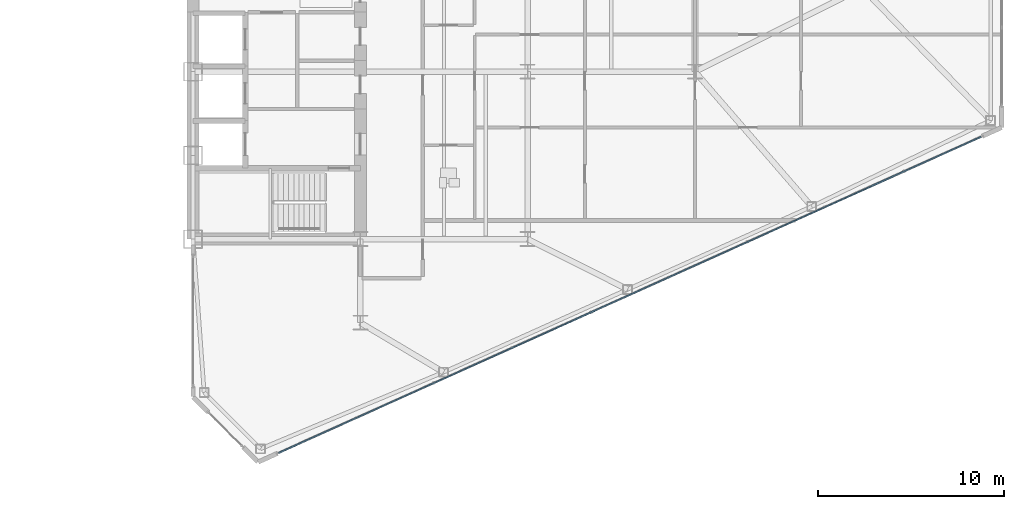
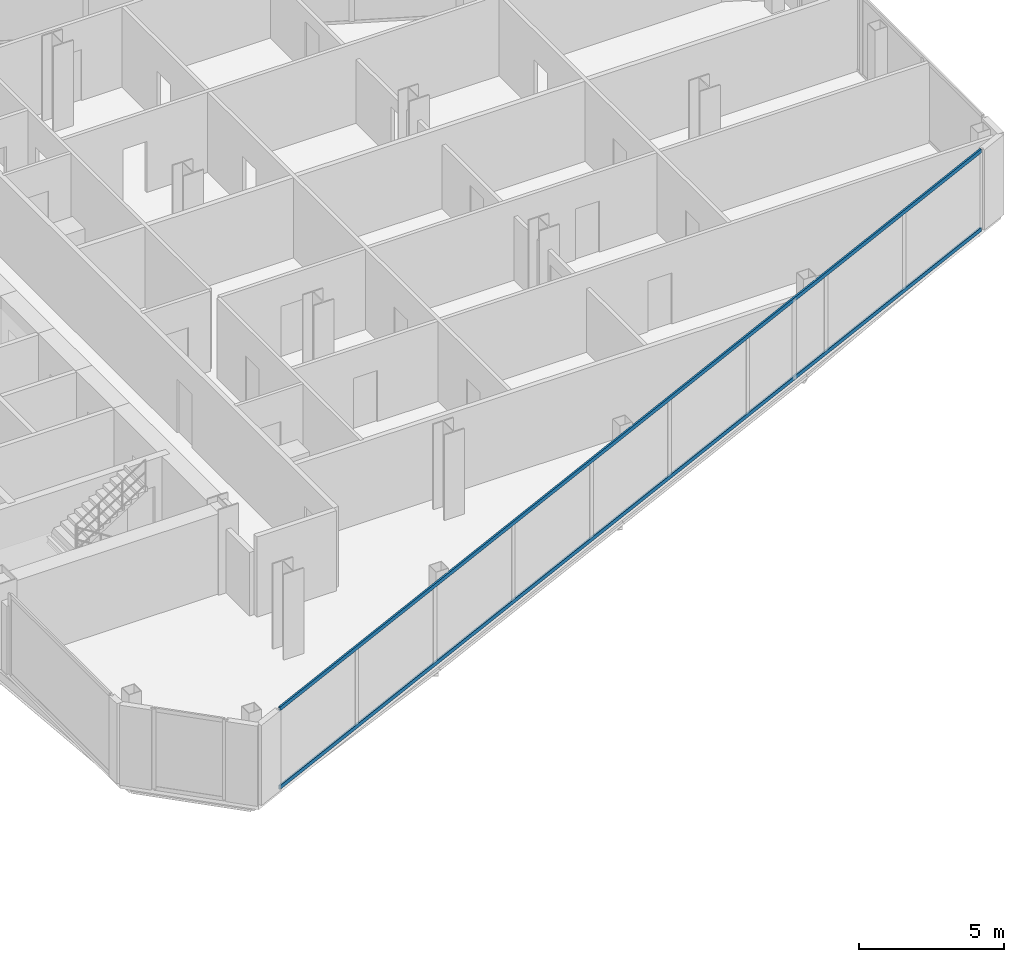
# One storey, part 11 of 27: 2 members, 1 element without a shape of its own.
"""IFC4 building model written with IfcOpenShell, lengths in metres."""

from ifc_helpers import new_model, si_unit, direction, frame, origin, origin_2d, place, context, subcontext, project, spatial, rectangle, extrude, source, transform, mapped, material, layer, layer_set, material_profile, profile_set, type_object, type_shapes, element, aggregate, save


model = new_model("IFC4")

# Units and contexts
model_context = context("Model", 3, precision=1e-05, world=origin(), true_north=direction((0.0, 1.0)))
body_context = subcontext(model_context, "Body", "Model", "MODEL_VIEW")
ifc_project = project(units=[si_unit("LENGTHUNIT", "METRE"), si_unit("AREAUNIT", "SQUARE_METRE"), si_unit("VOLUMEUNIT", "CUBIC_METRE"), si_unit("PLANEANGLEUNIT", "RADIAN"), si_unit("MASSUNIT", "GRAM", prefix="KILO")], contexts=[model_context])

# Site, building, storey
site_placement = place(None, origin())
site = spatial("IfcSite", under=ifc_project, at=site_placement, CompositionType="ELEMENT")
building_placement = place(site_placement, origin())
building = spatial("IfcBuilding", under=site, at=building_placement, Name="Seokmaru Belvedere", CompositionType="ELEMENT")
storey_placement = place(building_placement, frame((0.0, 0.0, 96.0)))
storey = spatial("IfcBuildingStorey", under=building, at=storey_placement, Name="L25", CompositionType="ELEMENT", Elevation=96.0)

# Curtain wall, members
ifc_material_1 = material(Name="Bronze Triple Insulating Glass", Category="glass")
ifc_layer = layer(ifc_material_1, 0.195068359375)
ifc_layer_set = layer_set([ifc_layer], Name="Bronze Triple Insulating Glass")
curtain_wall_type = type_object("IfcCurtainWallType", Name="Lower-Mid Tapered Curtain Wall System CW-3", PredefinedType="NOTDEFINED", material=ifc_layer_set)
curtain_wall_placement = place(storey_placement, origin())
curtain_wall = element("IfcCurtainWall", 1, at=curtain_wall_placement, inside=storey, type_object=curtain_wall_type, Name="L25 Curtain Wall EF1", PredefinedType="NOTDEFINED")
ifc_material_2 = material(Name="Anodised Bronze Aluminium", Category="aluminium")
ifc_material_profile = material_profile(ifc_material_2, rectangle(XDim=0.070068359375, YDim=0.1650390625, at=origin_2d()), Name="CW-T-70x165")
ifc_profile_set = profile_set([ifc_material_profile], Name="Anodised Bronze Aluminium")
member_type = type_object("IfcMemberType", Name="Bronze Unitised Transom 70x165", PredefinedType="USERDEFINED", material=ifc_profile_set)
shared_shape = source(origin(), body_context, "Body", "SweptSolid", [
    extrude(rectangle(XDim=0.070068359375, YDim=0.1650390625, at=origin_2d()), origin(), (0.0, 0.0, 1.0), 41.423583984375),
])
type_shapes(member_type, [shared_shape])
member_1_placement = place(storey_placement, frame((32.112548828125, -24.99951171875, 0.034912109375), z_axis=(0.911918637916, 0.410371048956, 0.0), x_axis=(-0.410371048956, 0.911918637916, 0.0)))
member_1 = element("IfcMember", 2, at=member_1_placement, type_object=member_type, Name="CW:L25:EF1 Continuous Transom 1", ObjectType="TRANSOM", PredefinedType="USERDEFINED", context=body_context, shape_type="MappedRepresentation", body=[
    mapped(shared_shape, transform((0.0, 0.0, 0.0), scale=1.0)),
])
member_2_placement = place(storey_placement, frame((32.112548828125, -24.99951171875, 3.344970703125), z_axis=(0.911918637916, 0.410371048956, 0.0), x_axis=(-0.410371048956, 0.911918637916, 0.0)))
member_2 = element("IfcMember", 3, at=member_2_placement, type_object=member_type, Name="CW:L25:EF1 Continuous Transom 2", ObjectType="TRANSOM", PredefinedType="USERDEFINED", context=body_context, shape_type="MappedRepresentation", body=[
    mapped(shared_shape, transform((0.0, 0.0, 0.0), scale=1.0)),
])
aggregate(curtain_wall, [member_1, member_2])

save(model, "model.ifc")
